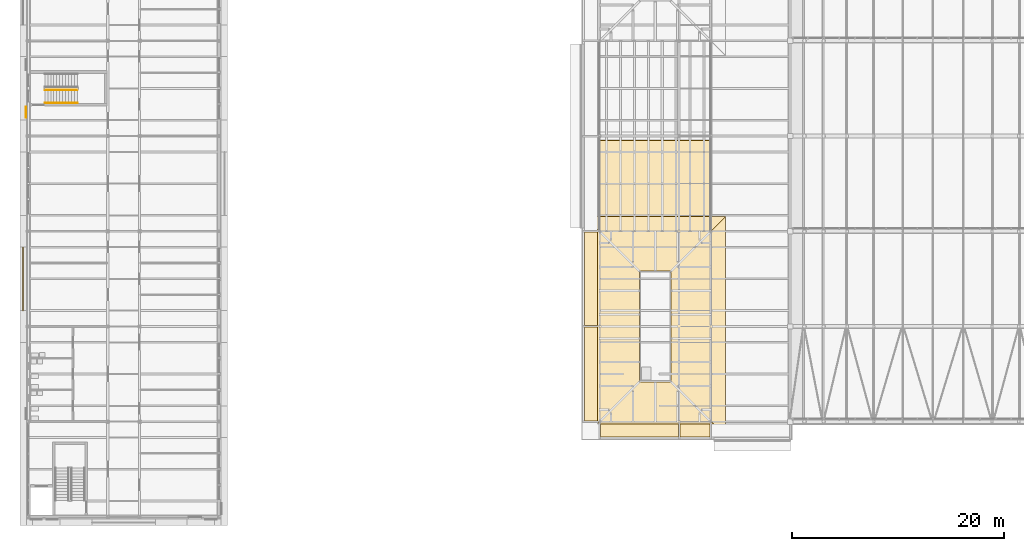
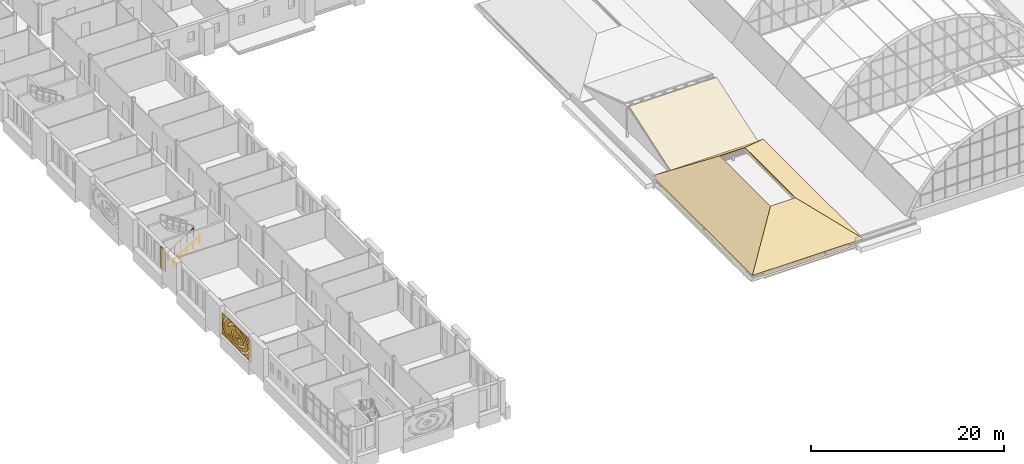
# One storey, part 114 of 121: 11 coverings, 2 railings.
"""IFC4 building model written with IfcOpenShell, lengths in metres."""

from ifc_helpers import new_model, si_unit, direction, frame, origin, origin_2d, place, context, subcontext, project, spatial, polyline, circle, outline, extrude, material, layer, layer_set, type_object, element, save


model = new_model("IFC4")

# Units and contexts
model_context = context("Model", 3, precision=1e-05, world=origin(), true_north=direction((0.0, 1.0)))
body_context = subcontext(model_context, "Body", "Model", "MODEL_VIEW")
ifc_project = project(units=[si_unit("LENGTHUNIT", "METRE"), si_unit("AREAUNIT", "SQUARE_METRE"), si_unit("VOLUMEUNIT", "CUBIC_METRE"), si_unit("PLANEANGLEUNIT", "RADIAN"), si_unit("MASSUNIT", "GRAM", prefix="KILO")], contexts=[model_context])

# Site, building, storey
site_placement = place(None, origin())
site = spatial("IfcSite", under=ifc_project, at=site_placement, CompositionType="ELEMENT")
building_placement = place(site_placement, origin())
building = spatial("IfcBuilding", under=site, at=building_placement, Name="Golden Quay Civic Hall", CompositionType="ELEMENT")
storey_placement = place(building_placement, frame((0.0, 0.0, 18.60009765625)))
storey = spatial("IfcBuildingStorey", under=building, at=storey_placement, Name="L04", CompositionType="ELEMENT", Elevation=18.60009765625)

# Coverings
ifc_material_1 = material(Name="Aluminium, anodised", Category="aluminium")
ifc_layer_1 = layer(ifc_material_1, 0.02490234375)
ifc_layer_set_1 = layer_set([ifc_layer_1], Name="Aluminium soffit lining 25")
covering_type_1 = type_object("IfcCoveringType", Name="Aluminium soffit lining 25", PredefinedType="CEILING", material=ifc_layer_set_1)
covering_1_placement = place(storey_placement, frame((0.0, 0.0, -0.275146484375)))
element("IfcCovering", 1, at=covering_1_placement, inside=storey, type_object=covering_type_1, Name="Aluminium soffit lining 25 L04 9", PredefinedType="CEILING", context=body_context, shape_type="SweptSolid", body=[
    extrude(outline(polyline([(53.800048828125, 9.0673828125), (52.550048828125, 9.0673828125), (52.550048828125, 17.9326171875), (53.800048828125, 17.9326171875), (53.800048828125, 9.0673828125)])), origin(), (0.0, 0.0, 1.0), 0.025146484375),
])
covering_2_placement = place(storey_placement, frame((0.0, 0.0, -0.275146484375)))
element("IfcCovering", 2, at=covering_2_placement, inside=storey, type_object=covering_type_1, Name="Aluminium soffit lining 25 L04 10", PredefinedType="CEILING", context=body_context, shape_type="SweptSolid", body=[
    extrude(outline(polyline([(53.800048828125, 0.0673828125), (52.550048828125, 0.0673828125), (52.550048828125, 8.9326171875), (53.800048828125, 8.9326171875), (53.800048828125, 0.0673828125)])), origin(), (0.0, 0.0, 1.0), 0.025146484375),
])
covering_3_placement = place(storey_placement, frame((0.0, 0.0, -0.275146484375)))
element("IfcCovering", 3, at=covering_3_placement, inside=storey, type_object=covering_type_1, Name="Aluminium soffit lining 25 L04 11", PredefinedType="CEILING", context=body_context, shape_type="SweptSolid", body=[
    extrude(outline(polyline([(61.4326171875, -0.199951171875), (61.4326171875, -1.449951171875), (54.0673828125, -1.449951171875), (54.0673828125, -0.199951171875), (61.4326171875, -0.199951171875)])), origin(), (0.0, 0.0, 1.0), 0.025146484375),
])
covering_4_placement = place(storey_placement, frame((0.0, 0.0, -0.275146484375)))
element("IfcCovering", 4, at=covering_4_placement, inside=storey, type_object=covering_type_1, Name="Aluminium soffit lining 25 L04 12", PredefinedType="CEILING", context=body_context, shape_type="SweptSolid", body=[
    extrude(outline(polyline([(64.4326171875, -0.199951171875), (64.4326171875, -1.449951171875), (61.5673828125, -1.449951171875), (61.5673828125, -0.199951171875), (64.4326171875, -0.199951171875)])), origin(), (0.0, 0.0, 1.0), 0.025146484375),
])
ifc_material_2 = material(Name="Clay roof tile")
ifc_layer_2 = layer(ifc_material_2, 0.06005859375)
ifc_layer_set_2 = layer_set([ifc_layer_2], Name="Clay roof tile 60")
covering_type_2 = type_object("IfcCoveringType", Name="Clay roof tile 60", PredefinedType="ROOFING", material=ifc_layer_set_2)
covering_5_placement = place(storey_placement, frame((52.60009765625, -1.39990234375, 0.25), z_axis=(0.0, -0.59998786364, 0.800009102126), x_axis=(1.0, 0.0, 0.0)))
element("IfcCovering", 5, at=covering_5_placement, inside=storey, type_object=covering_type_2, Name="Roof tiles WM-S south", PredefinedType="ROOFING", context=body_context, shape_type="SweptSolid", body=[
    extrude(outline(polyline([(0.0, 0.0), (13.2998046875, 0.0), (8.14990234375, 6.43730468824074), (5.14990234375, 6.43730468824074), (0.0, 0.0)])), origin(), (0.0, 0.0, -1.0), 0.06005859375),
])
covering_6_placement = place(storey_placement, frame((52.60009765625, 19.39990234375, 0.25), z_axis=(0.0, 0.59998786364, 0.800009102126), x_axis=(1.0, 0.0, 0.0)))
element("IfcCovering", 6, at=covering_6_placement, inside=storey, type_object=covering_type_2, Name="Roof tiles WM-S north", PredefinedType="ROOFING", context=body_context, shape_type="SweptSolid", body=[
    extrude(outline(polyline([(0.0, 0.0), (13.2998046875, 0.0), (8.14990234375, -6.43730468824074), (5.14990234375, -6.43730468824074), (0.0, 0.0)])), origin(), (0.0, 0.0, -1.0), 0.06005859375),
])
covering_7_placement = place(storey_placement, frame((52.60009765625, -1.39990234375, 0.25), z_axis=(-0.59998786364, 0.0, 0.800009102126), x_axis=(0.0, 1.0, 0.0)))
element("IfcCovering", 7, at=covering_7_placement, inside=storey, type_object=covering_type_2, Name="Roof tiles WM-S west", PredefinedType="ROOFING", context=body_context, shape_type="SweptSolid", body=[
    extrude(outline(polyline([(0.0, 0.0), (20.7998046875, 0.0), (15.64990234375, -6.43730468824074), (5.14990234375, -6.43730468824074), (0.0, 0.0)])), origin(), (0.0, 0.0, -1.0), 0.06005859375),
])
covering_8_placement = place(storey_placement, frame((65.89990234375, -1.39990234375, 0.25), z_axis=(0.59998786364, 0.0, 0.800009102126), x_axis=(0.0, 1.0, 0.0)))
element("IfcCovering", 8, at=covering_8_placement, inside=storey, type_object=covering_type_2, Name="Roof tiles WM-S east", PredefinedType="ROOFING", context=body_context, shape_type="SweptSolid", body=[
    extrude(outline(polyline([(0.0, 0.0), (20.7998046875, 0.0), (15.64990234375, 6.43730468824074), (5.14990234375, 6.43730468824074), (0.0, 0.0)])), origin(), (0.0, 0.0, -1.0), 0.06005859375),
])
covering_9_placement = place(storey_placement, frame((54.0, 18.0, 1.305908203125), z_axis=(0.0, -0.32050820339, 0.947245739795), x_axis=(1.0, 0.0, 0.0)))
element("IfcCovering", 9, at=covering_9_placement, inside=storey, type_object=covering_type_2, Name="Roof tiles gable south", PredefinedType="ROOFING", context=body_context, shape_type="SweptSolid", body=[
    extrude(outline(polyline([(0.0, 0.0), (10.5, 0.0), (10.5, 9.07905656890208), (0.0, 9.07905656890208), (0.0, 0.0)])), origin(), (0.0, 0.0, -1.0), 0.06005859375),
])
ifc_material_3 = material(Name="Aluminium, golden anodised, perforated", Category="aluminium")
ifc_layer_3 = layer(ifc_material_3, 0.0400390625)
ifc_layer_set_3 = layer_set([ifc_layer_3], Name="Perforated screen panel 6000 x 2700 x 40")
covering_type_3 = type_object("IfcCoveringType", Name="Perforated screen panel 6000 x 2700 x 40", PredefinedType="CLADDING", material=ifc_layer_set_3)
covering_10_placement = place(storey_placement, frame((-0.5, 13.5, 1.949951171875), z_axis=(-1.0, 0.0, 0.0), x_axis=(0.0, -1.0, 0.0)))
element("IfcCovering", 10, at=covering_10_placement, inside=storey, type_object=covering_type_3, Name="Perforated screen panel 6000 x 2700 x 40 L04 1", PredefinedType="CLADDING", context=body_context, shape_type="SweptSolid", body=[
    extrude(outline(polyline([(-3.0, -1.35009765625), (3.0, -1.35009765625), (3.0, 1.35009765625), (-3.0, 1.35009765625), (-3.0, -1.35009765625)]), holes=[polyline([(0.25830078125, 0.164794921875), (0.195068359375, 0.144287109375), (0.150390625, 0.117919921875), (0.13330078125, 0.101318359375), (0.123291015625, 0.0849609375), (0.123291015625, 0.07568359375), (0.132080078125, 0.06005859375), (0.160400390625, 0.034912109375), (0.210693359375, 0.00927734375), (0.27783203125, -0.0087890625), (0.327880859375, -0.01416015625), (0.379150390625, -0.013916015625), (0.4521484375, -0.00244140625), (0.49462890625, 0.01123046875), (0.543212890625, 0.037109375), (0.56298828125, 0.054443359375), (0.573486328125, 0.068115234375), (0.577392578125, 0.078857421875), (0.57421875, 0.09033203125), (0.556884765625, 0.111572265625), (0.533203125, 0.12939453125), (0.47607421875, 0.15576171875), (0.5634765625, 0.3837890625), (0.634033203125, 0.353271484375), (0.68896484375, 0.319091796875), (0.74365234375, 0.2705078125), (0.775390625, 0.22998046875), (0.802978515625, 0.17724609375), (0.818359375, 0.12353515625), (0.821533203125, 0.064697265625), (0.81201171875, 0.009033203125), (0.789794921875, -0.0458984375), (0.760986328125, -0.08984375), (0.718994140625, -0.134521484375), (0.680908203125, -0.164794921875), (0.625, -0.197998046875), (0.553466796875, -0.227294921875), (0.508544921875, -0.240234375), (0.43115234375, -0.25439453125), (0.35888671875, -0.259033203125), (0.279541015625, -0.255615234375), (0.201904296875, -0.24267578125), (0.156494140625, -0.23046875), (0.08447265625, -0.202392578125), (0.027587890625, -0.17041015625), (-0.01123046875, -0.141357421875), (-0.0546875, -0.09765625), (-0.084716796875, -0.05517578125), (-0.10888671875, -0.0009765625), (-0.12060546875, 0.05419921875), (-0.119873046875, 0.113037109375), (-0.106689453125, 0.16748046875), (-0.0810546875, 0.22119140625), (-0.05029296875, 0.262939453125), (-0.005859375, 0.305908203125), (0.056884765625, 0.34814453125), (0.126708984375, 0.38037109375), (0.201416015625, 0.402587890625), (0.27978515625, 0.41552734375), (0.310791015625, 0.173095703125), (0.25830078125, 0.164794921875)]), polyline([(-0.72314453125, 0.27587890625), (-0.745361328125, 0.231689453125), (-0.761474609375, 0.187255859375), (-0.77197265625, 0.14306640625), (-0.777099609375, 0.09912109375), (-0.776611328125, 0.05517578125), (-0.77099609375, 0.01123046875), (-0.759765625, -0.032958984375), (-0.74267578125, -0.077392578125), (-0.7197265625, -0.121826171875), (-0.69091796875, -0.166015625), (-0.65576171875, -0.2099609375), (-0.614501953125, -0.2529296875), (-0.5673828125, -0.294677734375), (-0.514404296875, -0.33447265625), (-0.455810546875, -0.372314453125), (-0.39208984375, -0.40771484375), (-0.323486328125, -0.4404296875), (-0.25048828125, -0.469970703125), (-0.173828125, -0.49609375), (-0.093505859375, -0.518798828125), (-0.010498046875, -0.53759765625), (0.074951171875, -0.552490234375), (0.162109375, -0.5634765625), (0.25048828125, -0.570068359375), (0.339599609375, -0.57275390625), (0.4287109375, -0.571044921875), (0.51708984375, -0.565185546875), (0.604736328125, -0.555419921875), (0.690673828125, -0.54150390625), (0.774169921875, -0.5234375), (0.855224609375, -0.501708984375), (0.932861328125, -0.476318359375), (1.006591796875, -0.44775390625), (1.076416015625, -0.415771484375), (1.14111328125, -0.381103515625), (1.201171875, -0.34375), (1.25537109375, -0.30419921875), (1.303955078125, -0.262939453125), (1.3466796875, -0.22021484375), (1.38330078125, -0.176513671875), (1.41357421875, -0.13232421875), (1.43798828125, -0.087890625), (1.456298828125, -0.04345703125), (1.46875, 0.000732421875), (1.475830078125, 0.044921875), (1.4775390625, 0.088623046875), (1.4736328125, 0.1328125), (1.464599609375, 0.1767578125), (1.44970703125, 0.22119140625), (1.428955078125, 0.265380859375), (1.402099609375, 0.309814453125), (1.369384765625, 0.35400390625), (1.330322265625, 0.397216796875), (1.285400390625, 0.439453125), (1.234619140625, 0.47998046875), (1.177978515625, 0.518798828125), (1.115966796875, 0.55517578125), (1.04931640625, 0.5888671875), (0.977783203125, 0.619384765625), (0.90234375, 0.64697265625), (0.823486328125, 0.6708984375), (0.7412109375, 0.691162109375), (0.65673828125, 0.70751953125), (0.570068359375, 0.719970703125), (0.482177734375, 0.72802734375), (0.393310546875, 0.732421875), (0.303955078125, 0.732177734375), (0.215087890625, 0.72802734375), (0.127197265625, 0.719482421875), (0.040771484375, 0.70703125), (-0.0439453125, 0.6904296875), (-0.12890625, 0.66943359375), (-0.18798828125, 0.906494140625), (-0.09375, 0.9296875), (0.002685546875, 0.948486328125), (0.10107421875, 0.96240234375), (0.19482421875, 0.971435546875), (0.295166015625, 0.9765625), (0.39599609375, 0.976806640625), (0.496337890625, 0.97216796875), (0.595947265625, 0.962890625), (0.7001953125, 0.947998046875), (0.790771484375, 0.930419921875), (0.885009765625, 0.907470703125), (0.976318359375, 0.8798828125), (1.071044921875, 0.845458984375), (1.149169921875, 0.81201171875), (1.2294921875, 0.771484375), (1.305419921875, 0.727294921875), (1.376220703125, 0.67919921875), (1.441650390625, 0.62744140625), (1.508544921875, 0.564697265625), (1.56201171875, 0.50439453125), (1.601806640625, 0.451171875), (1.6416015625, 0.385986328125), (1.674072265625, 0.318115234375), (1.7021484375, 0.23388671875), (1.716552734375, 0.160888671875), (1.721923828125, 0.087158203125), (1.718505859375, 0.013671875), (1.705810546875, -0.05908203125), (1.684814453125, -0.13037109375), (1.6611328125, -0.187255859375), (1.625, -0.2548828125), (1.574462890625, -0.328857421875), (1.5234375, -0.38916015625), (1.466064453125, -0.44580078125), (1.41015625, -0.493408203125), (1.333984375, -0.548583984375), (1.26025390625, -0.594482421875), (1.1884765625, -0.633056640625), (1.105224609375, -0.67138671875), (1.011962890625, -0.707763671875), (0.921630859375, -0.737060546875), (0.834716796875, -0.760498046875), (0.73291015625, -0.7822265625), (0.63525390625, -0.7978515625), (0.541748046875, -0.80859375), (0.435791015625, -0.8154296875), (0.341064453125, -0.817138671875), (0.240478515625, -0.814453125), (0.134765625, -0.806396484375), (0.04150390625, -0.794677734375), (-0.0556640625, -0.77783203125), (-0.15087890625, -0.75634765625), (-0.243408203125, -0.73046875), (-0.339111328125, -0.69775390625), (-0.418701171875, -0.66552734375), (-0.50048828125, -0.626708984375), (-0.585205078125, -0.579833984375), (-0.65087890625, -0.537353515625), (-0.71826171875, -0.48681640625), (-0.78759765625, -0.42578125), (-0.8359375, -0.375244140625), (-0.885498046875, -0.314208984375), (-0.934326171875, -0.2392578125), (-0.963134765625, -0.18310546875), (-0.990478515625, -0.11376953125), (-1.01220703125, -0.02783203125), (-1.02001953125, 0.031005859375), (-1.021484375, 0.1044921875), (-1.011474609375, 0.192626953125), (-0.993408203125, 0.264404296875), (-0.972412109375, 0.32177734375), (-0.93310546875, 0.401611328125), (-0.891357421875, 0.466064453125), (-0.85009765625, 0.51904296875), (-0.657470703125, 0.36865234375), (-0.695068359375, 0.3203125), (-0.72314453125, 0.27587890625)]), polyline([(-1.38134765625, -0.54541015625), (-1.310302734375, -0.610107421875), (-1.232421875, -0.672607421875), (-1.147705078125, -0.73193359375), (-1.05615234375, -0.788330078125), (-0.958740234375, -0.84130859375), (-0.855712890625, -0.890380859375), (-0.747314453125, -0.935791015625), (-0.634033203125, -0.9765625), (-0.5166015625, -1.012939453125), (-0.395263671875, -1.044921875), (-0.270751953125, -1.07177734375), (-0.1435546875, -1.09375), (-0.01416015625, -1.11083984375), (0.116943359375, -1.12255859375), (0.248779296875, -1.129150390625), (0.38134765625, -1.130615234375), (0.513427734375, -1.126708984375), (0.64501953125, -1.11767578125), (0.775390625, -1.103515625), (0.90380859375, -1.083984375), (1.02978515625, -1.059814453125), (1.15283203125, -1.030517578125), (1.2724609375, -0.996337890625), (1.387939453125, -0.957763671875), (1.4990234375, -0.914794921875), (1.60498046875, -0.867919921875), (1.70556640625, -0.81689453125), (1.800048828125, -0.76220703125), (1.888427734375, -0.704345703125), (1.97021484375, -0.643310546875), (2.044921875, -0.579833984375), (2.1123046875, -0.513916015625), (2.172119140625, -0.4462890625), (2.224609375, -0.376953125), (2.269287109375, -0.306640625), (2.30615234375, -0.235107421875), (2.335205078125, -0.163330078125), (2.356689453125, -0.091064453125), (2.37060546875, -0.018798828125), (2.377197265625, 0.053955078125), (2.376220703125, 0.12646484375), (2.36767578125, 0.198974609375), (2.3515625, 0.271240234375), (2.327880859375, 0.343505859375), (2.29638671875, 0.415283203125), (2.257568359375, 0.486328125), (2.210693359375, 0.556396484375), (2.15625, 0.62548828125), (2.093994140625, 0.692626953125), (2.024658203125, 0.7578125), (1.947998046875, 0.82080078125), (1.864501953125, 0.880859375), (1.7744140625, 0.937744140625), (1.677978515625, 0.991455078125), (1.575927734375, 1.041259765625), (1.468505859375, 1.08740234375), (1.356201171875, 1.129150390625), (1.239501953125, 1.16650390625), (1.118896484375, 1.19921875), (0.994873046875, 1.22705078125), (0.8681640625, 1.25), (0.7392578125, 1.267822265625), (0.6083984375, 1.28076171875), (0.4765625, 1.288330078125), (0.386962890625, 1.2900390625), (1.615966796875, 1.2900390625), (1.680419921875, 1.26220703125), (1.788330078125, 1.209716796875), (1.896240234375, 1.149658203125), (1.998291015625, 1.08544921875), (2.09375, 1.016845703125), (2.18896484375, 0.93896484375), (2.2646484375, 0.867919921875), (2.3388671875, 0.787841796875), (2.4111328125, 0.6962890625), (2.463623046875, 0.61767578125), (2.513427734375, 0.528076171875), (2.558349609375, 0.425048828125), (2.585693359375, 0.341796875), (2.607421875, 0.245849609375), (2.620361328125, 0.13623046875), (2.62109375, 0.03857421875), (2.61181640625, -0.058837890625), (2.5927734375, -0.155029296875), (2.56787109375, -0.23876953125), (2.530517578125, -0.33251953125), (2.478515625, -0.432861328125), (2.422607421875, -0.520263671875), (2.3642578125, -0.597412109375), (2.2861328125, -0.685791015625), (2.206298828125, -0.76318359375), (2.119384765625, -0.8369140625), (2.031494140625, -0.90234375), (1.92529296875, -0.97216796875), (1.819091796875, -1.033203125), (1.70703125, -1.08984375), (1.590087890625, -1.1416015625), (1.473388671875, -1.186767578125), (1.342041015625, -1.230712890625), (1.21728515625, -1.26611328125), (1.11767578125, -1.2900390625), (-0.41796875, -1.2900390625), (-0.586181640625, -1.247314453125), (-0.708984375, -1.209228515625), (-0.8330078125, -1.16455078125), (-0.9580078125, -1.1123046875), (-1.06689453125, -1.060546875), (-1.17578125, -1.001708984375), (-1.279052734375, -0.93798828125), (-1.3759765625, -0.870361328125), (-1.472412109375, -0.793212890625), (-1.54931640625, -0.722900390625), (-1.625244140625, -0.6435546875), (-1.693359375, -0.560546875), (-1.50390625, -0.406005859375), (-1.44482421875, -0.478515625), (-1.38134765625, -0.54541015625)]), polyline([(0.2119140625, 1.287841796875), (0.080078125, 1.27978515625), (-0.05029296875, 1.2666015625), (-0.17919921875, 1.248291015625), (-0.305908203125, 1.224853515625), (-0.429443359375, 1.1962890625), (-0.5498046875, 1.163330078125), (-0.666015625, 1.12548828125), (-0.778076171875, 1.08349609375), (-0.885009765625, 1.037109375), (-0.986572265625, 0.98681640625), (-1.08251953125, 0.93310546875), (-1.172119140625, 0.875732421875), (-1.2548828125, 0.815185546875), (-1.3310546875, 0.752197265625), (-1.39990234375, 0.68701171875), (-1.461181640625, 0.619384765625), (-1.514892578125, 0.550537109375), (-1.561279296875, 0.480224609375), (-1.599609375, 0.408935546875), (-1.632568359375, 0.331787109375), (-1.857421875, 0.427978515625), (-1.8173828125, 0.52001953125), (-1.768310546875, 0.60986328125), (-1.716552734375, 0.688720703125), (-1.64501953125, 0.780517578125), (-1.5712890625, 0.861083984375), (-1.496337890625, 0.932373046875), (-1.40185546875, 1.0107421875), (-1.306640625, 1.07958984375), (-1.211181640625, 1.140625), (-1.097900390625, 1.20458984375), (-0.990478515625, 1.257568359375), (-0.916015625, 1.2900390625), (0.308349609375, 1.2900390625), (0.2119140625, 1.287841796875)]), polyline([(2.318603515625, -1.2255859375), (2.435791015625, -1.1572265625), (2.546630859375, -1.085205078125), (2.650390625, -1.009765625), (2.746826171875, -0.93115234375), (2.835693359375, -0.849609375), (2.93994140625, -0.73876953125), (2.93994140625, -1.085693359375), (2.802001953125, -1.201416015625), (2.6796875, -1.2900390625), (2.1953125, -1.2900390625), (2.318603515625, -1.2255859375)]), polyline([(2.88720703125, 0.9580078125), (2.802978515625, 1.041015625), (2.711181640625, 1.12109375), (2.61181640625, 1.198486328125), (2.47802734375, 1.2900390625), (2.889404296875, 1.2900390625), (2.93994140625, 1.24560546875), (2.93994140625, 0.898681640625), (2.88720703125, 0.9580078125)]), polyline([(-1.844482421875, 1.24658203125), (-1.948486328125, 1.171142578125), (-2.045166015625, 1.092529296875), (-2.134033203125, 1.01123046875), (-2.21533203125, 0.927490234375), (-2.288818359375, 0.841552734375), (-2.35400390625, 0.753662109375), (-2.410888671875, 0.664306640625), (-2.45947265625, 0.57373046875), (-2.499755859375, 0.482177734375), (-2.531494140625, 0.389892578125), (-2.55517578125, 0.297119140625), (-2.5703125, 0.2041015625), (-2.5771484375, 0.110595703125), (-2.57568359375, 0.017333984375), (-2.566162109375, -0.07568359375), (-2.548095703125, -0.1689453125), (-2.521728515625, -0.261474609375), (-2.487060546875, -0.353515625), (-2.44384765625, -0.44482421875), (-2.392333984375, -0.534912109375), (-2.33251953125, -0.623779296875), (-2.2646484375, -0.711181640625), (-2.188720703125, -0.79638671875), (-2.1044921875, -0.87939453125), (-2.012939453125, -0.959716796875), (-1.9111328125, -1.039306640625), (-2.061767578125, -1.231689453125), (-2.166015625, -1.150146484375), (-2.268310546875, -1.060791015625), (-2.363037109375, -0.967529296875), (-2.44970703125, -0.870849609375), (-2.528076171875, -0.770751953125), (-2.59765625, -0.667724609375), (-2.662841796875, -0.553466796875), (-2.7099609375, -0.45361328125), (-2.752197265625, -0.343017578125), (-2.78466796875, -0.230712890625), (-2.80712890625, -0.1171875), (-2.820068359375, 0.00830078125), (-2.8212890625, 0.123291015625), (-2.813720703125, 0.227294921875), (-2.79541015625, 0.341796875), (-2.767333984375, 0.455078125), (-2.72900390625, 0.566650390625), (-2.681396484375, 0.676513671875), (-2.6240234375, 0.783935546875), (-2.5576171875, 0.888671875), (-2.477294921875, 0.9970703125), (-2.3935546875, 1.094970703125), (-2.301513671875, 1.189208984375), (-2.189697265625, 1.2900390625), (-1.777587890625, 1.2900390625), (-1.844482421875, 1.24658203125)]), polyline([(-2.93994140625, -1.103515625), (-2.815673828125, -1.223388671875), (-2.7373046875, -1.2900390625), (-2.93994140625, -1.2900390625), (-2.93994140625, -1.103515625)])]), origin(), (0.0, 0.0, 1.0), 0.0400390625),
])

# Railings
ifc_material_4 = material(Name="Steel S355", Category="steel")
railing_type_1 = type_object("IfcRailingType", Name="Steel guard 1100", PredefinedType="GUARDRAIL", material=ifc_material_4)
railing_1_placement = place(storey_placement, frame((1.550048828125, 31.375, 0.1748046875)))
element("IfcRailing", 11, at=railing_1_placement, inside=storey, type_object=railing_type_1, Name="L04 WO-M stair guard 1", PredefinedType="GUARDRAIL", context=body_context, shape_type="SweptSolid", body=[
    extrude(circle(Radius=0.02392578125, at=origin_2d()), frame((0.0, 0.0, 1.076171875), z_axis=(0.847979421464, 0.0, 0.530029150871), x_axis=(0.0, 1.0, 0.0)), (0.0, 0.0, 1.0), 3.632080078125),
    extrude(circle(Radius=0.02099609375, at=origin_2d()), origin(), (0.0, 0.0, 1.0), 1.052001953125),
    extrude(circle(Radius=0.02099609375, at=origin_2d()), frame((0.77001953125, 0.0, 0.481201171875)), (0.0, 0.0, 1.0), 1.052001953125),
    extrude(circle(Radius=0.02099609375, at=origin_2d()), frame((1.5400390625, 0.0, 0.96240234375)), (0.0, 0.0, 1.0), 1.052001953125),
    extrude(circle(Radius=0.02099609375, at=origin_2d()), frame((2.309814453125, 0.0, 1.44384765625)), (0.0, 0.0, 1.0), 1.052001953125),
    extrude(circle(Radius=0.02099609375, at=origin_2d()), frame((3.079833984375, 0.0, 1.925048828125)), (0.0, 0.0, 1.0), 1.052001953125),
])
ifc_material_5 = material(Name="Steel S355", Category="steel")
railing_type_2 = type_object("IfcRailingType", Name="Steel handrail 900", PredefinedType="HANDRAIL", material=ifc_material_5)
railing_2_placement = place(storey_placement, frame((1.550048828125, 30.125, 0.1748046875)))
element("IfcRailing", 12, at=railing_2_placement, inside=storey, type_object=railing_type_2, Name="L04 WO-M stair handrail 1", PredefinedType="HANDRAIL", context=body_context, shape_type="SweptSolid", body=[
    extrude(circle(Radius=0.02392578125, at=origin_2d()), frame((0.0, 0.0, 0.8759765625), z_axis=(0.847979421464, 0.0, 0.530029150871), x_axis=(0.0, 1.0, 0.0)), (0.0, 0.0, 1.0), 3.632080078125),
    extrude(circle(Radius=0.02099609375, at=origin_2d()), origin(), (0.0, 0.0, 1.0), 0.851806640625),
    extrude(circle(Radius=0.02099609375, at=origin_2d()), frame((0.77001953125, 0.0, 0.481201171875)), (0.0, 0.0, 1.0), 0.851806640625),
    extrude(circle(Radius=0.02099609375, at=origin_2d()), frame((1.5400390625, 0.0, 0.96240234375)), (0.0, 0.0, 1.0), 0.851806640625),
    extrude(circle(Radius=0.02099609375, at=origin_2d()), frame((2.309814453125, 0.0, 1.44384765625)), (0.0, 0.0, 1.0), 0.851806640625),
    extrude(circle(Radius=0.02099609375, at=origin_2d()), frame((3.079833984375, 0.0, 1.925048828125)), (0.0, 0.0, 1.0), 0.851806640625),
])

# Covering
ifc_material_6 = material(Name="Terracotta cladding, golden glaze", Category="masonry")
ifc_layer_4 = layer(ifc_material_6, 0.050048828125)
ifc_layer_set_4 = layer_set([ifc_layer_4], Name="Terracotta solid panel 1050 x 2700 x 50")
covering_type_4 = type_object("IfcCoveringType", Name="Terracotta solid panel 1050 x 2700 x 50", PredefinedType="CLADDING", material=ifc_layer_set_4)
covering_11_placement = place(storey_placement, frame((0.0, 0.0, 0.89990234375)))
element("IfcCovering", 13, at=covering_11_placement, inside=storey, type_object=covering_type_4, Name="Terracotta solid panel 1050 x 2700 x 50 L04 2", PredefinedType="CLADDING", context=body_context, shape_type="SweptSolid", body=[
    extrude(outline(polyline([(-0.199951171875, 28.72509765625), (-0.199951171875, 29.77490234375), (-0.25, 29.77490234375), (-0.25, 28.72509765625), (-0.199951171875, 28.72509765625)])), origin(), (0.0, 0.0, 1.0), 2.699951171875),
])

save(model, "model.ifc")
